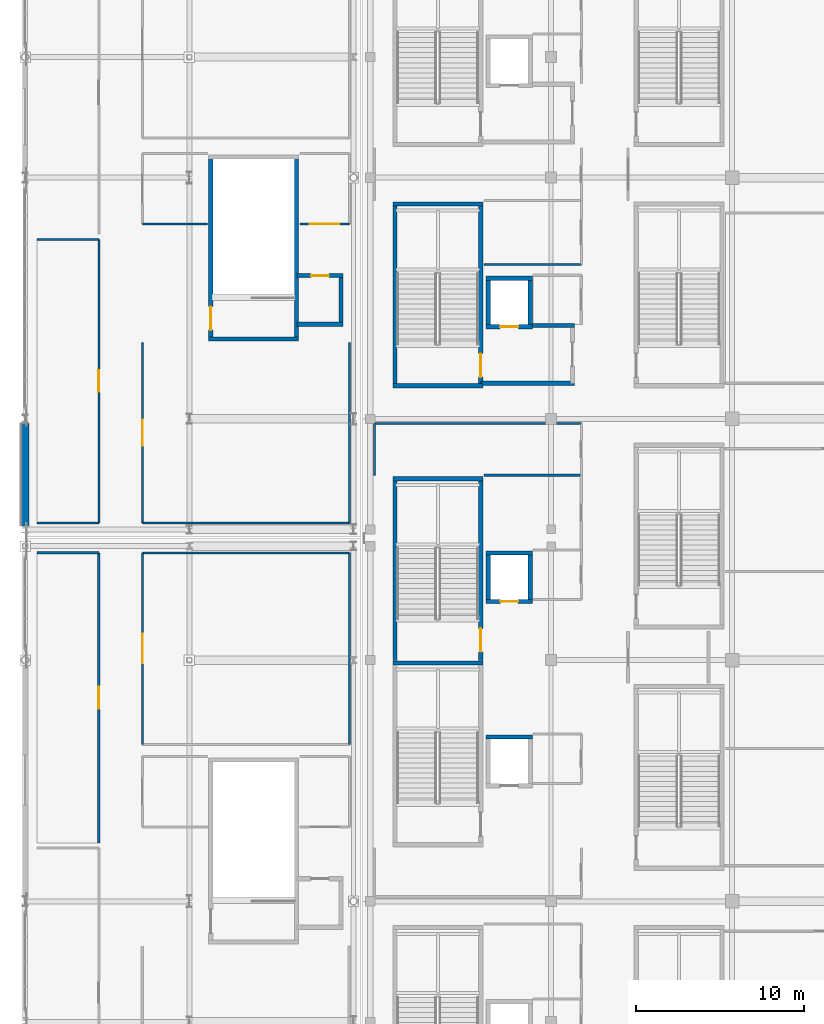
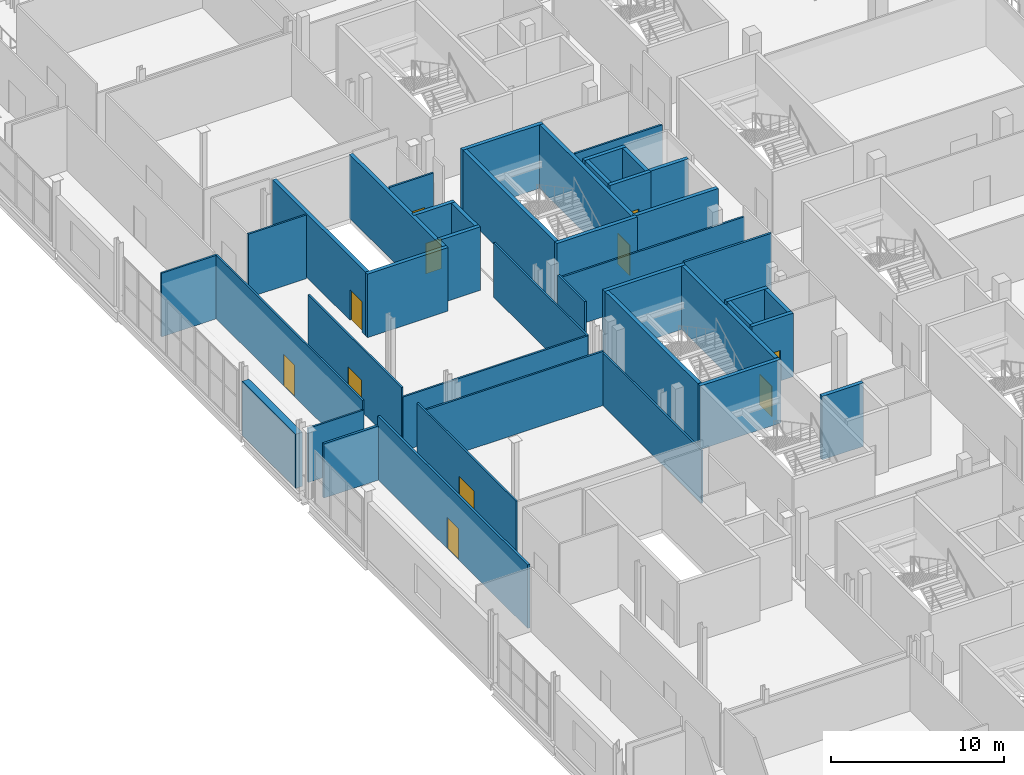
# One storey, part 92 of 142: 43 walls, 11 doors, 11 openings.
"""IFC4 building model written with IfcOpenShell, lengths in metres."""

import ifcopenshell
import ifcopenshell.guid

model = None  # the IFC model being written
_history = None  # IfcOwnerHistory: only IFC2X3 demands one
_inside = {}  # id of a spatial element -> (the spatial element, [elements in it])
_under = {}  # id of a project, library or spatial element -> (it, [spatial elements below it])
_declared = {}  # id of a project -> (the project, [libraries it declares])
_typed = {}  # id of a type object -> (the type object, [elements of that type])
_made_of = {}  # id of a material, layer set ... -> (it, [elements and type objects made of it])


def new_model(schema):
    """Start an empty IFC model of exactly this schema.

    Asked for "IFC4X3", IfcOpenShell would pick the latest addendum, in which some entities
    have other attributes; the version numbers below select the first issue.
    IFC2X3 requires an IfcOwnerHistory on every rooted entity: one is made here for all.
    """
    global model, _history
    if schema == "IFC4X3":
        model = ifcopenshell.file(schema_version=(4, 3, 0, 0))
    else:
        model = ifcopenshell.file(schema=schema)
    _inside.clear()
    _under.clear()
    _declared.clear()
    _typed.clear()
    _made_of.clear()
    _history = None
    if model.schema == "IFC2X3":
        org = make("IfcOrganization", Name="unknown")
        user = make(
            "IfcPersonAndOrganization",
            ThePerson=make("IfcPerson", FamilyName="unknown"),
            TheOrganization=org,
        )
        app = make(
            "IfcApplication",
            ApplicationDeveloper=org,
            Version="unknown",
            ApplicationFullName="unknown",
            ApplicationIdentifier="unknown",
        )
        _history = make(
            "IfcOwnerHistory",
            OwningUser=user,
            OwningApplication=app,
            ChangeAction="ADDED",
            CreationDate=0,
        )
    return model


def make(cls, **values):
    """One entity of the class cls with the attributes given. An attribute that is None is left unset."""
    return model.create_entity(
        cls, **{name: value for name, value in values.items() if value is not None}
    )


def rooted(cls, **values):
    """An entity with a GlobalId (a new one), such as an element, a storey or a relation."""
    return make(cls, GlobalId=ifcopenshell.guid.new(), OwnerHistory=_history, **values)


def si_unit(unit_type, name, prefix=None):
    """IfcSIUnit, for example si_unit("LENGTHUNIT", "METRE", prefix="MILLI")."""
    return make("IfcSIUnit", UnitType=unit_type, Prefix=prefix, Name=name)


def assignment(units):
    """IfcUnitAssignment: the units of a project."""
    return None if units is None else make("IfcUnitAssignment", Units=units)


def point(xyz):
    """IfcCartesianPoint."""
    return None if xyz is None else make("IfcCartesianPoint", Coordinates=xyz)


def direction(xyz):
    """IfcDirection."""
    return None if xyz is None else make("IfcDirection", DirectionRatios=xyz)


def frame(location, z_axis=None, x_axis=None):
    """IfcAxis2Placement3D, a coordinate frame: its origin and axes. An axis left out is left unset."""
    return make(
        "IfcAxis2Placement3D",
        Location=point(location),
        Axis=direction(z_axis),
        RefDirection=direction(x_axis),
    )


def frame_2d(location, x_axis=None):
    """IfcAxis2Placement2D, a coordinate frame in the plane: its origin and x axis."""
    return make(
        "IfcAxis2Placement2D", Location=point(location), RefDirection=direction(x_axis)
    )


def origin():
    """The frame at (0, 0, 0) with its axes left unset."""
    return frame((0.0, 0.0, 0.0))


def place(relative_to, where):
    """IfcLocalPlacement: puts the frame where relative to a parent placement (None: the world)."""
    return make(
        "IfcLocalPlacement", PlacementRelTo=relative_to, RelativePlacement=where
    )


def context(
    kind, dimensions, precision=None, world=None, true_north=None, identifier=None
):
    """IfcGeometricRepresentationContext, for example the 3D "Model" context."""
    return make(
        "IfcGeometricRepresentationContext",
        ContextIdentifier=identifier,
        ContextType=kind,
        CoordinateSpaceDimension=dimensions,
        Precision=precision,
        WorldCoordinateSystem=world,
        TrueNorth=true_north,
    )


def subcontext(parent, identifier, kind, view, scale=None):
    """IfcGeometricRepresentationSubContext, for example "Body" below "Model"."""
    return make(
        "IfcGeometricRepresentationSubContext",
        ContextIdentifier=identifier,
        ContextType=kind,
        ParentContext=parent,
        TargetScale=scale,
        TargetView=view,
    )


def project(units=None, contexts=None):
    """IfcProject with its units and contexts."""
    return rooted(
        "IfcProject",
        Name="project",
        RepresentationContexts=contexts,
        UnitsInContext=assignment(units),
    )


def spatial(cls, under=None, at=None, **own):
    """A site, building, storey or space (cls), placed at a placement, below another one or the project."""
    s = rooted(cls, ObjectPlacement=at, **own)
    if under is not None:
        _under.setdefault(under.id(), (under, []))[1].append(s)
    return s


def profile(cls, at=None, kind="AREA", **sizes):
    """A parametric profile (cls). Its sizes go by their IFC names, for example OverallWidth=200.0."""
    return make(cls, ProfileType=kind, Position=at, **sizes)


def rectangle(**sizes):
    """IfcRectangleProfileDef."""
    return profile("IfcRectangleProfileDef", **sizes)


def extrude(swept, where, along, depth):
    """IfcExtrudedAreaSolid: the profile swept, set in the frame where, extruded along a direction by depth."""
    return make(
        "IfcExtrudedAreaSolid",
        SweptArea=swept,
        Position=where,
        ExtrudedDirection=direction(along),
        Depth=depth,
    )


def shape(context_of_items, identifier, shape_type, items):
    """IfcShapeRepresentation: the items that make up one representation, for example the "Body"."""
    return make(
        "IfcShapeRepresentation",
        ContextOfItems=context_of_items,
        RepresentationIdentifier=identifier,
        RepresentationType=shape_type,
        Items=items,
    )


def material(Name=None, Category=None):
    """IfcMaterial."""
    return make("IfcMaterial", Name=Name, Category=Category)


def layer(
    of_material, thickness, ventilated=None, Name=None, Category=None, Priority=None
):
    """IfcMaterialLayer: one layer of a wall or slab, of a material (None: an air gap)."""
    return make(
        "IfcMaterialLayer",
        Material=of_material,
        LayerThickness=thickness,
        IsVentilated=ventilated,
        Name=Name,
        Category=Category,
        Priority=Priority,
    )


def layer_set(layers, Name=None):
    """IfcMaterialLayerSet."""
    return make("IfcMaterialLayerSet", MaterialLayers=layers, LayerSetName=Name)


def made_of(thing, what):
    """Note that an element or type object is made of a material, layer set ...; save() writes the relation."""
    if what is not None:
        _made_of.setdefault(what.id(), (what, []))[1].append(thing)
    return thing


def type_object(cls, material=None, **own):
    """A type object (cls), such as IfcWallType, which elements share."""
    return made_of(rooted(cls, **own), material)


def element(
    cls,
    number,
    at=None,
    inside=None,
    cuts=None,
    type_object=None,
    material=None,
    context=None,
    identifier="Body",
    shape_type=None,
    held_by="IfcProductDefinitionShape",
    body=None,
    shapes=None,
    **own,
):
    """One element of the class cls, such as IfcWall. Its Tag is "e" and its number.

    at: its placement. inside: the storey or other place that contains it. cuts: it is an
    opening in that element (IfcRelVoidsElement). A single representation is given by context,
    identifier, shape_type and body (its items); several are given by shapes. held_by: the class
    of the entity that holds the representations. save() writes the other relations.
    """
    e = rooted(cls, Tag="e%d" % number, ObjectPlacement=at, **own)
    if body is not None:
        shapes = [shape(context, identifier, shape_type, body)]
    if shapes is not None:
        e.Representation = make(held_by, Representations=shapes)
    if inside is not None:
        _inside.setdefault(inside.id(), (inside, []))[1].append(e)
    if cuts is not None:
        rooted(
            "IfcRelVoidsElement", RelatingBuildingElement=cuts, RelatedOpeningElement=e
        )
    if type_object is not None:
        _typed.setdefault(type_object.id(), (type_object, []))[1].append(e)
    return made_of(e, material)


def fill(opening, filler):
    """IfcRelFillsElement: the door or window that sits in an opening."""
    return rooted(
        "IfcRelFillsElement",
        RelatingOpeningElement=opening,
        RelatedBuildingElement=filler,
    )


def aggregate(whole, parts):
    """IfcRelAggregates: a whole, such as a stair, and the parts it consists of."""
    return rooted("IfcRelAggregates", RelatingObject=whole, RelatedObjects=parts)


def save(model, path):
    """Write the relations noted so far, then the file.

    IfcRelAggregates (storeys below a building ...), IfcRelContainedInSpatialStructure (elements
    in a storey), IfcRelDefinesByType, IfcRelAssociatesMaterial and IfcRelDeclares: one each for
    every whole, place, type object, material and project.
    """
    for whole, parts in _under.values():
        aggregate(whole, parts)
    for where, things in _inside.values():
        rooted(
            "IfcRelContainedInSpatialStructure",
            RelatedElements=things,
            RelatingStructure=where,
        )
    for kind, things in _typed.values():
        rooted("IfcRelDefinesByType", RelatedObjects=things, RelatingType=kind)
    for what, things in _made_of.values():
        rooted("IfcRelAssociatesMaterial", RelatedObjects=things, RelatingMaterial=what)
    for by, libraries in _declared.values():
        rooted("IfcRelDeclares", RelatingContext=by, RelatedDefinitions=libraries)
    model.write(path)


model = new_model("IFC4")

# Units and contexts
model_context = context("Model", 3, precision=1e-05, world=origin(), true_north=direction((0.0, 1.0)))
body_context = subcontext(model_context, "Body", "Model", "MODEL_VIEW")
ifc_project = project(units=[si_unit("LENGTHUNIT", "METRE"), si_unit("AREAUNIT", "SQUARE_METRE"), si_unit("VOLUMEUNIT", "CUBIC_METRE"), si_unit("PLANEANGLEUNIT", "RADIAN"), si_unit("MASSUNIT", "GRAM", prefix="KILO")], contexts=[model_context])

# Site, building, storey
site_placement = place(None, origin())
site = spatial("IfcSite", under=ifc_project, at=site_placement, CompositionType="ELEMENT")
building_placement = place(site_placement, origin())
building = spatial("IfcBuilding", under=site, at=building_placement, Name="Koshinbarg Plaza Stadium", CompositionType="ELEMENT")
storey_placement = place(building_placement, frame((0.0, 0.0, 10.199951171875)))
storey = spatial("IfcBuildingStorey", under=building, at=storey_placement, Name="L02", CompositionType="ELEMENT", Elevation=10.199951171875)

# Walls
ifc_material_1 = material(Name="Concrete C40/50", Category="concrete")
ifc_layer_1 = layer(ifc_material_1, 0.25)
ifc_layer_set_1 = layer_set([ifc_layer_1], Name="Concrete C40/50")
wall_type_1 = type_object("IfcWallType", Name="WL-CORE-250", PredefinedType="SHEAR", material=ifc_layer_set_1)
for number, where, z_axis, x_axis, name in (
    (1, (31.320068359375, 68.52490234375, 0.0), (0.0, 0.0, 1.0), (-1.0, 0.0, 0.0), "L02 core stair shear wall C03-far IWL-L02-0066"),
    (2, (31.320068359375, 79.52490234375, 0.0), (0.0, 0.0, 1.0), (-1.0, 0.0, 0.0), "L02 core stair shear wall C04-far IWL-L02-0091"),
):
    element("IfcWall", number, at=place(storey_placement, frame(where, z_axis=z_axis, x_axis=x_axis)), inside=storey, type_object=wall_type_1, Name=name, PredefinedType="SHEAR", context=body_context, shape_type="SweptSolid", body=[
        extrude(rectangle(XDim=5.3701171875, YDim=0.25, at=frame_2d((2.68505859375, 0.0))), origin(), (0.0, 0.0, 1.0), 4.47998046875),
    ])
wall_1_placement = place(storey_placement, frame((26.074951171875, 68.675048828125, 0.0), z_axis=(0.0, 0.0, 1.0), x_axis=(0.0, 1.0, 0.0)))
element("IfcWall", 3, at=wall_1_placement, inside=storey, type_object=wall_type_1, Name="L02 core stair shear wall C04-left IWL-L02-0092", PredefinedType="SHEAR", context=body_context, shape_type="SweptSolid", body=[
    extrude(rectangle(XDim=10.849853515625, YDim=0.25, at=frame_2d((5.4248046875, 0.0))), origin(), (0.0, 0.0, 1.0), 4.47998046875),
])

# Wall, opening, door
wall_2_placement = place(storey_placement, frame((31.195068359375, 68.675048828125, 0.0), z_axis=(0.0, 0.0, 1.0), x_axis=(0.0, 1.0, 0.0)))
wall_2 = element("IfcWall", 4, at=wall_2_placement, inside=storey, type_object=wall_type_1, Name="L02 core stair shear wall C04-right IWL-L02-0093", PredefinedType="SHEAR", context=body_context, shape_type="SweptSolid", body=[
    extrude(rectangle(XDim=10.849853515625, YDim=0.25, at=frame_2d((5.4248046875, 0.0))), origin(), (0.0, 0.0, 1.0), 4.47998046875),
])
opening_1_placement = place(wall_2_placement, frame((0.52001953125, 0.0, 0.0)))
opening_1 = element("IfcOpeningElement", 5, at=opening_1_placement, cuts=wall_2, Name="Opening D-0084", PredefinedType="OPENING", context=body_context, shape_type="SweptSolid", body=[
    extrude(rectangle(XDim=1.39990234375, YDim=2.14990234375, at=frame_2d((0.699951171875, 1.074951171875))), frame((0.0, 0.135009765625, 0.0), z_axis=(0.0, -1.0, 0.0), x_axis=(1.0, 0.0, 0.0)), (0.0, 0.0, 1.0), 0.27001953125),
])
ifc_material_2 = material(Name="Painted galvanized steel fire door", Category="steel")
door_type_1 = type_object("IfcDoorType", Name="DR-STAIR-1400", OperationType="NOTDEFINED", PredefinedType="DOOR", material=ifc_material_2)
door_1_placement = place(opening_1_placement, origin())
door_1 = element("IfcDoor", 6, at=door_1_placement, inside=storey, type_object=door_type_1, Name="L02 exit stair door C04", OperationType="SINGLE_SWING_LEFT", OverallHeight=2.14990234375, OverallWidth=1.39990234375, PredefinedType="DOOR", context=body_context, shape_type="SweptSolid", body=[
    extrude(rectangle(XDim=1.39990234375, YDim=2.14990234375, at=frame_2d((0.699951171875, 1.074951171875))), frame((0.0, 0.02490234375, 0.0), z_axis=(0.0, -1.0, 0.0), x_axis=(1.0, 0.0, 0.0)), (0.0, 0.0, 1.0), 0.050048828125),
])
fill(opening_1, door_1)

# Walls
for number, where, z_axis, x_axis, name in (
    (7, (25.949951171875, 85.074951171875, 0.0), (0.0, 0.0, 1.0), (1.0, 0.0, 0.0), "L02 core stair shear wall C05-near IWL-L02-0114"),
    (8, (31.320068359375, 95.925048828125, 0.0), (0.0, 0.0, 1.0), (-1.0, 0.0, 0.0), "L02 core stair shear wall C05-far IWL-L02-0115"),
):
    element("IfcWall", number, at=place(storey_placement, frame(where, z_axis=z_axis, x_axis=x_axis)), inside=storey, type_object=wall_type_1, Name=name, PredefinedType="SHEAR", context=body_context, shape_type="SweptSolid", body=[
        extrude(rectangle(XDim=5.3701171875, YDim=0.25, at=frame_2d((2.68505859375, 0.0))), origin(), (0.0, 0.0, 1.0), 4.47998046875),
    ])
wall_3_placement = place(storey_placement, frame((26.074951171875, 85.074951171875, 0.0), z_axis=(0.0, 0.0, 1.0), x_axis=(0.0, 1.0, 0.0)))
element("IfcWall", 9, at=wall_3_placement, inside=storey, type_object=wall_type_1, Name="L02 core stair shear wall C05-left IWL-L02-0116", PredefinedType="SHEAR", context=body_context, shape_type="SweptSolid", body=[
    extrude(rectangle(XDim=10.85009765625, YDim=0.25, at=frame_2d((5.425048828125, 0.0))), origin(), (0.0, 0.0, 1.0), 4.47998046875),
])

# Wall, opening, door
wall_4_placement = place(storey_placement, frame((31.195068359375, 85.074951171875, 0.0), z_axis=(0.0, 0.0, 1.0), x_axis=(0.0, 1.0, 0.0)))
wall_4 = element("IfcWall", 10, at=wall_4_placement, inside=storey, type_object=wall_type_1, Name="L02 core stair shear wall C05-right IWL-L02-0117", PredefinedType="SHEAR", context=body_context, shape_type="SweptSolid", body=[
    extrude(rectangle(XDim=10.85009765625, YDim=0.25, at=frame_2d((5.425048828125, 0.0))), origin(), (0.0, 0.0, 1.0), 4.47998046875),
])
opening_2_placement = place(wall_4_placement, frame((0.52001953125, 0.0, 0.0)))
opening_2 = element("IfcOpeningElement", 11, at=opening_2_placement, cuts=wall_4, Name="Opening D-0091", PredefinedType="OPENING", context=body_context, shape_type="SweptSolid", body=[
    extrude(rectangle(XDim=1.39990234375, YDim=2.14990234375, at=frame_2d((0.699951171875, 1.074951171875))), frame((0.0, 0.135009765625, 0.0), z_axis=(0.0, -1.0, 0.0), x_axis=(1.0, 0.0, 0.0)), (0.0, 0.0, 1.0), 0.27001953125),
])
door_2_placement = place(opening_2_placement, origin())
door_2 = element("IfcDoor", 12, at=door_2_placement, inside=storey, type_object=door_type_1, Name="L02 exit stair door C05", OperationType="SINGLE_SWING_LEFT", OverallHeight=2.14990234375, OverallWidth=1.39990234375, PredefinedType="DOOR", context=body_context, shape_type="SweptSolid", body=[
    extrude(rectangle(XDim=1.39990234375, YDim=2.14990234375, at=frame_2d((0.699951171875, 1.074951171875))), frame((0.0, 0.02490234375, 0.0), z_axis=(0.0, -1.0, 0.0), x_axis=(1.0, 0.0, 0.0)), (0.0, 0.0, 1.0), 0.050048828125),
])
fill(opening_2, door_2)

# Wall
wall_5_placement = place(storey_placement, frame((14.949951171875, 87.875, 0.0), z_axis=(0.0, 0.0, 1.0), x_axis=(1.0, 0.0, 0.0)))
element("IfcWall", 13, at=wall_5_placement, inside=storey, type_object=wall_type_1, Name="L02 core stair shear wall C15-near IWL-L02-0338", PredefinedType="SHEAR", context=body_context, shape_type="SweptSolid", body=[
    extrude(rectangle(XDim=5.3701171875, YDim=0.25, at=frame_2d((2.68505859375, 0.0))), origin(), (0.0, 0.0, 1.0), 4.47998046875),
])

# Wall, opening, door
wall_6_placement = place(storey_placement, frame((15.074951171875, 87.875, 0.0), z_axis=(0.0, 0.0, 1.0), x_axis=(0.0, 1.0, 0.0)))
wall_6 = element("IfcWall", 14, at=wall_6_placement, inside=storey, type_object=wall_type_1, Name="L02 core stair shear wall C15-left IWL-L02-0340", PredefinedType="SHEAR", context=body_context, shape_type="SweptSolid", body=[
    extrude(rectangle(XDim=10.85009765625, YDim=0.25, at=frame_2d((5.425048828125, 0.0))), origin(), (0.0, 0.0, 1.0), 4.47998046875),
])
opening_3_placement = place(wall_6_placement, frame((0.52001953125, 0.0, 0.0)))
opening_3 = element("IfcOpeningElement", 15, at=opening_3_placement, cuts=wall_6, Name="Opening D-0147", PredefinedType="OPENING", context=body_context, shape_type="SweptSolid", body=[
    extrude(rectangle(XDim=1.39990234375, YDim=2.14990234375, at=frame_2d((0.699951171875, 1.074951171875))), frame((0.0, 0.135009765625, 0.0), z_axis=(0.0, -1.0, 0.0), x_axis=(1.0, 0.0, 0.0)), (0.0, 0.0, 1.0), 0.27001953125),
])
door_3_placement = place(opening_3_placement, frame((1.39990234375, 0.0, 0.0), z_axis=(0.0, 0.0, 1.0), x_axis=(-1.0, 0.0, 0.0)))
door_3 = element("IfcDoor", 16, at=door_3_placement, inside=storey, type_object=door_type_1, Name="L02 exit stair door C15", OperationType="SINGLE_SWING_LEFT", OverallHeight=2.14990234375, OverallWidth=1.39990234375, PredefinedType="DOOR", context=body_context, shape_type="SweptSolid", body=[
    extrude(rectangle(XDim=1.39990234375, YDim=2.14990234375, at=frame_2d((0.699951171875, 1.074951171875))), frame((0.0, 0.02490234375, 0.0), z_axis=(0.0, -1.0, 0.0), x_axis=(1.0, 0.0, 0.0)), (0.0, 0.0, 1.0), 0.050048828125),
])
fill(opening_3, door_3)

# Walls
wall_7_placement = place(storey_placement, frame((20.195068359375, 87.875, 0.0), z_axis=(0.0, 0.0, 1.0), x_axis=(0.0, 1.0, 0.0)))
element("IfcWall", 17, at=wall_7_placement, inside=storey, type_object=wall_type_1, Name="L02 core stair shear wall C15-right IWL-L02-0341", PredefinedType="SHEAR", context=body_context, shape_type="SweptSolid", body=[
    extrude(rectangle(XDim=10.85009765625, YDim=0.25, at=frame_2d((5.425048828125, 0.0))), origin(), (0.0, 0.0, 1.0), 4.47998046875),
])
wall_8_placement = place(storey_placement, frame((34.27490234375, 64.10009765625, 0.0), z_axis=(0.0, 0.0, 1.0), x_axis=(-1.0, 0.0, 0.0)))
element("IfcWall", 18, at=wall_8_placement, inside=storey, type_object=wall_type_1, Name="L02 lift shaft shear wall LP01-N IWL-L02-0717", PredefinedType="SHEAR", context=body_context, shape_type="SweptSolid", body=[
    extrude(rectangle(XDim=2.75, YDim=0.25, at=frame_2d((1.375, 0.0))), origin(), (0.0, 0.0, 1.0), 4.47998046875),
])

# Wall, opening, door
wall_9_placement = place(storey_placement, frame((31.52490234375, 72.199951171875, 0.0), z_axis=(0.0, 0.0, 1.0), x_axis=(1.0, 0.0, 0.0)))
wall_9 = element("IfcWall", 19, at=wall_9_placement, inside=storey, type_object=wall_type_1, Name="L02 lift shaft shear wall LP02-S IWL-L02-0744", PredefinedType="SHEAR", context=body_context, shape_type="SweptSolid", body=[
    extrude(rectangle(XDim=2.75, YDim=0.25, at=frame_2d((1.375, 0.0))), origin(), (0.0, 0.0, 1.0), 4.47998046875),
])
opening_4_placement = place(wall_9_placement, frame((0.85009765625, 0.0, 0.0)))
opening_4 = element("IfcOpeningElement", 20, at=opening_4_placement, cuts=wall_9, Name="Opening D-0252", PredefinedType="OPENING", context=body_context, shape_type="SweptSolid", body=[
    extrude(rectangle(XDim=1.050048828125, YDim=2.14990234375, at=frame_2d((0.52490234375, 1.074951171875))), frame((0.0, 0.135009765625, 0.0), z_axis=(0.0, -1.0, 0.0), x_axis=(1.0, 0.0, 0.0)), (0.0, 0.0, 1.0), 0.27001953125),
])
ifc_material_3 = material(Name="Brushed stainless steel sliding lift landing door", Category="steel")
door_type_2 = type_object("IfcDoorType", Name="DR-LIFT-1050", OperationType="NOTDEFINED", PredefinedType="DOOR", material=ifc_material_3)
door_4_placement = place(opening_4_placement, origin())
door_4 = element("IfcDoor", 21, at=door_4_placement, inside=storey, type_object=door_type_2, Name="L02 lift landing door LP02", OperationType="SLIDING_TO_LEFT", OverallHeight=2.14990234375, OverallWidth=1.050048828125, PredefinedType="DOOR", context=body_context, shape_type="SweptSolid", body=[
    extrude(rectangle(XDim=1.050048828125, YDim=2.14990234375, at=frame_2d((0.52490234375, 1.074951171875))), frame((0.0, 0.02490234375, 0.0), z_axis=(0.0, -1.0, 0.0), x_axis=(1.0, 0.0, 0.0)), (0.0, 0.0, 1.0), 0.050048828125),
])
fill(opening_4, door_4)

# Walls
wall_10_placement = place(storey_placement, frame((34.27490234375, 75.10009765625, 0.0), z_axis=(0.0, 0.0, 1.0), x_axis=(-1.0, 0.0, 0.0)))
element("IfcWall", 22, at=wall_10_placement, inside=storey, type_object=wall_type_1, Name="L02 lift shaft shear wall LP02-N IWL-L02-0745", PredefinedType="SHEAR", context=body_context, shape_type="SweptSolid", body=[
    extrude(rectangle(XDim=2.75, YDim=0.25, at=frame_2d((1.375, 0.0))), origin(), (0.0, 0.0, 1.0), 4.47998046875),
])
for number, where, z_axis, x_axis, name in (
    (23, (31.64990234375, 75.10009765625, 0.0), (0.0, 0.0, 1.0), (0.0, -1.0, 0.0), "L02 lift shaft shear wall LP02-W IWL-L02-0746"),
    (24, (34.14990234375, 72.199951171875, 0.0), (0.0, 0.0, 1.0), (0.0, 1.0, 0.0), "L02 lift shaft shear wall LP02-E IWL-L02-0747"),
):
    element("IfcWall", number, at=place(storey_placement, frame(where, z_axis=z_axis, x_axis=x_axis)), inside=storey, type_object=wall_type_1, Name=name, PredefinedType="SHEAR", context=body_context, shape_type="SweptSolid", body=[
        extrude(rectangle(XDim=2.900146484375, YDim=0.25, at=frame_2d((1.4501953125, 0.0))), origin(), (0.0, 0.0, 1.0), 4.47998046875),
    ])

# Wall, opening, door
wall_11_placement = place(storey_placement, frame((31.52490234375, 88.60009765625, 0.0), z_axis=(0.0, 0.0, 1.0), x_axis=(1.0, 0.0, 0.0)))
wall_11 = element("IfcWall", 25, at=wall_11_placement, inside=storey, type_object=wall_type_1, Name="L02 lift shaft shear wall FL03-S IWL-L02-0778", PredefinedType="SHEAR", context=body_context, shape_type="SweptSolid", body=[
    extrude(rectangle(XDim=2.75, YDim=0.25, at=frame_2d((1.375, 0.0))), origin(), (0.0, 0.0, 1.0), 4.47998046875),
])
opening_5_placement = place(wall_11_placement, frame((0.824951171875, 0.0, 0.0)))
opening_5 = element("IfcOpeningElement", 26, at=opening_5_placement, cuts=wall_11, Name="Opening D-0261", PredefinedType="OPENING", context=body_context, shape_type="SweptSolid", body=[
    extrude(rectangle(XDim=1.10009765625, YDim=2.14990234375, at=frame_2d((0.550048828125, 1.074951171875))), frame((0.0, 0.135009765625, 0.0), z_axis=(0.0, -1.0, 0.0), x_axis=(1.0, 0.0, 0.0)), (0.0, 0.0, 1.0), 0.27001953125),
])
door_type_3 = type_object("IfcDoorType", Name="DR-LIFT-1100", OperationType="NOTDEFINED", PredefinedType="DOOR", material=ifc_material_3)
door_5_placement = place(opening_5_placement, origin())
door_5 = element("IfcDoor", 27, at=door_5_placement, inside=storey, type_object=door_type_3, Name="L02 lift landing door FL03", OperationType="SLIDING_TO_RIGHT", OverallHeight=2.14990234375, OverallWidth=1.10009765625, PredefinedType="DOOR", context=body_context, shape_type="SweptSolid", body=[
    extrude(rectangle(XDim=1.10009765625, YDim=2.14990234375, at=frame_2d((0.550048828125, 1.074951171875))), frame((0.0, 0.02490234375, 0.0), z_axis=(0.0, -1.0, 0.0), x_axis=(1.0, 0.0, 0.0)), (0.0, 0.0, 1.0), 0.050048828125),
])
fill(opening_5, door_5)

# Walls
wall_12_placement = place(storey_placement, frame((34.27490234375, 91.5, 0.0), z_axis=(0.0, 0.0, 1.0), x_axis=(-1.0, 0.0, 0.0)))
element("IfcWall", 28, at=wall_12_placement, inside=storey, type_object=wall_type_1, Name="L02 lift shaft shear wall FL03-N IWL-L02-0779", PredefinedType="SHEAR", context=body_context, shape_type="SweptSolid", body=[
    extrude(rectangle(XDim=2.75, YDim=0.25, at=frame_2d((1.375, 0.0))), origin(), (0.0, 0.0, 1.0), 4.47998046875),
])
for number, where, z_axis, x_axis, name in (
    (29, (31.64990234375, 91.5, 0.0), (0.0, 0.0, 1.0), (0.0, -1.0, 0.0), "L02 lift shaft shear wall FL03-W IWL-L02-0780"),
    (30, (34.14990234375, 88.60009765625, 0.0), (0.0, 0.0, 1.0), (0.0, 1.0, 0.0), "L02 lift shaft shear wall FL03-E IWL-L02-0781"),
):
    element("IfcWall", number, at=place(storey_placement, frame(where, z_axis=z_axis, x_axis=x_axis)), inside=storey, type_object=wall_type_1, Name=name, PredefinedType="SHEAR", context=body_context, shape_type="SweptSolid", body=[
        extrude(rectangle(XDim=2.89990234375, YDim=0.25, at=frame_2d((1.449951171875, 0.0))), origin(), (0.0, 0.0, 1.0), 4.47998046875),
    ])
wall_13_placement = place(storey_placement, frame((34.27490234375, 88.675048828125, 0.0), z_axis=(0.0, 0.0, 1.0), x_axis=(1.0, 0.0, 0.0)))
element("IfcWall", 31, at=wall_13_placement, inside=storey, type_object=wall_type_1, Name="L02 firefighting lobby wall C05-NE IWL-L02-0783", PredefinedType="SHEAR", context=body_context, shape_type="SweptSolid", body=[
    extrude(rectangle(XDim=2.525146484375, YDim=0.25, at=frame_2d((1.2626953125, 0.0))), origin(), (0.0, 0.0, 1.0), 4.47998046875),
])
wall_14_placement = place(storey_placement, frame((31.199951171875, 85.22509765625, 0.0), z_axis=(0.0, 0.0, 1.0), x_axis=(1.0, 0.0, 0.0)))
element("IfcWall", 32, at=wall_14_placement, inside=storey, type_object=wall_type_1, Name="L02 firefighting lobby wall C05-S IWL-L02-0784", PredefinedType="SHEAR", context=body_context, shape_type="SweptSolid", body=[
    extrude(rectangle(XDim=5.60009765625, YDim=0.25, at=frame_2d((2.800048828125, 0.0))), origin(), (0.0, 0.0, 1.0), 4.47998046875),
])
wall_15_placement = place(storey_placement, frame((20.22509765625, 88.75, 0.0), z_axis=(0.0, 0.0, 1.0), x_axis=(1.0, 0.0, 0.0)))
element("IfcWall", 33, at=wall_15_placement, inside=storey, type_object=wall_type_1, Name="L02 lift shaft shear wall LP11-S IWL-L02-1036", PredefinedType="SHEAR", context=body_context, shape_type="SweptSolid", body=[
    extrude(rectangle(XDim=2.75, YDim=0.25, at=frame_2d((1.375, 0.0))), origin(), (0.0, 0.0, 1.0), 4.47998046875),
])

# Wall, opening, door
wall_16_placement = place(storey_placement, frame((22.97509765625, 91.64990234375, 0.0), z_axis=(0.0, 0.0, 1.0), x_axis=(-1.0, 0.0, 0.0)))
wall_16 = element("IfcWall", 34, at=wall_16_placement, inside=storey, type_object=wall_type_1, Name="L02 lift shaft shear wall LP11-N IWL-L02-1037", PredefinedType="SHEAR", context=body_context, shape_type="SweptSolid", body=[
    extrude(rectangle(XDim=2.75, YDim=0.25, at=frame_2d((1.375, 0.0))), origin(), (0.0, 0.0, 1.0), 4.47998046875),
])
opening_6_placement = place(wall_16_placement, frame((0.85009765625, 0.0, 0.0)))
opening_6 = element("IfcOpeningElement", 35, at=opening_6_placement, cuts=wall_16, Name="Opening D-0329", PredefinedType="OPENING", context=body_context, shape_type="SweptSolid", body=[
    extrude(rectangle(XDim=1.050048828125, YDim=2.14990234375, at=frame_2d((0.52490234375, 1.074951171875))), frame((0.0, 0.135009765625, 0.0), z_axis=(0.0, -1.0, 0.0), x_axis=(1.0, 0.0, 0.0)), (0.0, 0.0, 1.0), 0.27001953125),
])
door_6_placement = place(opening_6_placement, origin())
door_6 = element("IfcDoor", 36, at=door_6_placement, inside=storey, type_object=door_type_2, Name="L02 lift landing door LP11", OperationType="SLIDING_TO_RIGHT", OverallHeight=2.14990234375, OverallWidth=1.050048828125, PredefinedType="DOOR", context=body_context, shape_type="SweptSolid", body=[
    extrude(rectangle(XDim=1.050048828125, YDim=2.14990234375, at=frame_2d((0.52490234375, 1.074951171875))), frame((0.0, 0.02490234375, 0.0), z_axis=(0.0, -1.0, 0.0), x_axis=(1.0, 0.0, 0.0)), (0.0, 0.0, 1.0), 0.050048828125),
])
fill(opening_6, door_6)

# Walls
wall_17_placement = place(storey_placement, frame((22.85009765625, 88.75, 0.0), z_axis=(0.0, 0.0, 1.0), x_axis=(0.0, 1.0, 0.0)))
element("IfcWall", 37, at=wall_17_placement, inside=storey, type_object=wall_type_1, Name="L02 lift shaft shear wall LP11-E IWL-L02-1038", PredefinedType="SHEAR", context=body_context, shape_type="SweptSolid", body=[
    extrude(rectangle(XDim=2.89990234375, YDim=0.25, at=frame_2d((1.449951171875, 0.0))), origin(), (0.0, 0.0, 1.0), 4.47998046875),
])
ifc_material_4 = material(Name="Gypsum board metal-stud acoustic partition")
ifc_layer_2 = layer(ifc_material_4, 0.1201171875)
ifc_layer_set_2 = layer_set([ifc_layer_2], Name="Gypsum board metal-stud acoustic partition")
wall_type_2 = type_object("IfcWallType", Name="WL-PART-120", PredefinedType="PARTITIONING", material=ifc_layer_set_2)
wall_18_placement = place(storey_placement, frame((37.199951171875, 82.830078125, 0.0), z_axis=(0.0, 0.0, 1.0), x_axis=(-1.0, 0.0, 0.0)))
element("IfcWall", 38, at=wall_18_placement, inside=storey, type_object=wall_type_2, Name="L02 interior partition L02-68-north IWL-L02-1647", PredefinedType="PARTITIONING", context=body_context, shape_type="SweptSolid", body=[
    extrude(rectangle(XDim=12.35498046875, YDim=0.1201171875, at=frame_2d((6.177490234375, 0.0))), origin(), (0.0, 0.0, 1.0), 3.760009765625),
])
wall_19_placement = place(storey_placement, frame((24.844970703125, 82.830078125, 0.0), z_axis=(0.0, 0.0, 1.0), x_axis=(0.0, -1.0, 0.0)))
element("IfcWall", 39, at=wall_19_placement, inside=storey, type_object=wall_type_2, Name="L02 interior partition L02-68-west IWL-L02-1648", PredefinedType="PARTITIONING", context=body_context, shape_type="SweptSolid", body=[
    extrude(rectangle(XDim=3.10009765625, YDim=0.1201171875, at=frame_2d((1.550048828125, 0.0))), origin(), (0.0, 0.0, 1.0), 3.9599609375),
])
wall_20_placement = place(storey_placement, frame((31.39990234375, 92.323486328125, 0.0), z_axis=(0.0, 0.0, 1.0), x_axis=(1.0, 0.0, 0.0)))
element("IfcWall", 40, at=wall_20_placement, inside=storey, type_object=wall_type_2, Name="L02 interior partition L02-75-south IWL-L02-1664", PredefinedType="PARTITIONING", context=body_context, shape_type="SweptSolid", body=[
    extrude(rectangle(XDim=5.800048828125, YDim=0.1201171875, at=frame_2d((2.89990234375, 0.0))), origin(), (0.0, 0.0, 1.0), 4.47998046875),
])
wall_21_placement = place(storey_placement, frame((4.699951171875, 76.89501953125, 0.0), z_axis=(0.0, 0.0, 1.0), x_axis=(1.0, 0.0, 0.0)))
element("IfcWall", 41, at=wall_21_placement, inside=storey, type_object=wall_type_2, Name="L02 interior partition L02-142-south IWL-L02-1849", PredefinedType="PARTITIONING", context=body_context, shape_type="SweptSolid", body=[
    extrude(rectangle(XDim=3.699951171875, YDim=0.1201171875, at=frame_2d((1.85009765625, 0.0))), origin(), (0.0, 0.0, 1.0), 3.820068359375),
])

# Wall, opening, door
wall_22_placement = place(storey_placement, frame((8.39990234375, 76.89501953125, 0.0), z_axis=(0.0, 0.0, 1.0), x_axis=(0.0, 1.0, 0.0)))
wall_22 = element("IfcWall", 42, at=wall_22_placement, inside=storey, type_object=wall_type_2, Name="L02 interior partition L02-142-east IWL-L02-1850", PredefinedType="PARTITIONING", context=body_context, shape_type="SweptSolid", body=[
    extrude(rectangle(XDim=16.927490234375, YDim=0.1201171875, at=frame_2d((8.4638671875, 0.0))), origin(), (0.0, 0.0, 1.0), 4.47998046875),
])
opening_7_placement = place(wall_22_placement, frame((7.813720703125, 0.0, 0.0)))
opening_7 = element("IfcOpeningElement", 43, at=opening_7_placement, cuts=wall_22, Name="Opening D-0629", PredefinedType="OPENING", context=body_context, shape_type="SweptSolid", body=[
    extrude(rectangle(XDim=1.300048828125, YDim=2.199951171875, at=frame_2d((0.64990234375, 1.10009765625))), frame((0.0, 0.070068359375, 0.0), z_axis=(0.0, -1.0, 0.0), x_axis=(1.0, 0.0, 0.0)), (0.0, 0.0, 1.0), 0.14013671875),
])
ifc_material_5 = material(Name="Thermally broken anodised aluminium glazed door", Category="aluminium")
door_type_4 = type_object("IfcDoorType", Name="DR-INT-1300x2200", OperationType="NOTDEFINED", PredefinedType="DOOR", material=ifc_material_5)
door_7_placement = place(opening_7_placement, origin())
door_7 = element("IfcDoor", 44, at=door_7_placement, inside=storey, type_object=door_type_4, Name="L02 Northwest Terrace Lounge door D-0629", OperationType="SINGLE_SWING_LEFT", OverallHeight=2.199951171875, OverallWidth=1.300048828125, PredefinedType="DOOR", context=body_context, shape_type="SweptSolid", body=[
    extrude(rectangle(XDim=1.300048828125, YDim=2.199951171875, at=frame_2d((0.64990234375, 1.10009765625))), frame((0.0, 0.02490234375, 0.0), z_axis=(0.0, -1.0, 0.0), x_axis=(1.0, 0.0, 0.0)), (0.0, 0.0, 1.0), 0.050048828125),
])
fill(opening_7, door_7)

# Walls
wall_23_placement = place(storey_placement, frame((8.39990234375, 93.822509765625, 0.0), z_axis=(0.0, 0.0, 1.0), x_axis=(-1.0, 0.0, 0.0)))
element("IfcWall", 45, at=wall_23_placement, inside=storey, type_object=wall_type_2, Name="L02 interior partition L02-142-north IWL-L02-1851", PredefinedType="PARTITIONING", context=body_context, shape_type="SweptSolid", body=[
    extrude(rectangle(XDim=3.699951171875, YDim=0.1201171875, at=frame_2d((1.85009765625, 0.0))), origin(), (0.0, 0.0, 1.0), 4.47998046875),
])
wall_24_placement = place(storey_placement, frame((11.0, 76.89501953125, 0.0), z_axis=(0.0, 0.0, 1.0), x_axis=(1.0, 0.0, 0.0)))
element("IfcWall", 46, at=wall_24_placement, inside=storey, type_object=wall_type_2, Name="L02 interior partition L02-144-south IWL-L02-1854", PredefinedType="PARTITIONING", context=body_context, shape_type="SweptSolid", body=[
    extrude(rectangle(XDim=12.35498046875, YDim=0.1201171875, at=frame_2d((6.177490234375, 0.0))), origin(), (0.0, 0.0, 1.0), 3.820068359375),
])
wall_25_placement = place(storey_placement, frame((23.35498046875, 76.89501953125, 0.0), z_axis=(0.0, 0.0, 1.0), x_axis=(0.0, 1.0, 0.0)))
element("IfcWall", 47, at=wall_25_placement, inside=storey, type_object=wall_type_2, Name="L02 interior partition L02-144-east IWL-L02-1855", PredefinedType="PARTITIONING", context=body_context, shape_type="SweptSolid", body=[
    extrude(rectangle(XDim=10.77490234375, YDim=0.1201171875, at=frame_2d((5.387451171875, 0.0))), origin(), (0.0, 0.0, 1.0), 3.820068359375),
])

# Wall, opening, door
wall_26_placement = place(storey_placement, frame((11.0, 87.669921875, 0.0), z_axis=(0.0, 0.0, 1.0), x_axis=(0.0, -1.0, 0.0)))
wall_26 = element("IfcWall", 48, at=wall_26_placement, inside=storey, type_object=wall_type_2, Name="L02 interior partition L02-144-west IWL-L02-1856", PredefinedType="PARTITIONING", context=body_context, shape_type="SweptSolid", body=[
    extrude(rectangle(XDim=10.77490234375, YDim=0.1201171875, at=frame_2d((5.387451171875, 0.0))), origin(), (0.0, 0.0, 1.0), 4.47998046875),
])
opening_8_placement = place(wall_26_placement, frame((4.612548828125, 0.0, 0.0)))
opening_8 = element("IfcOpeningElement", 49, at=opening_8_placement, cuts=wall_26, Name="Opening D-0631", PredefinedType="OPENING", context=body_context, shape_type="SweptSolid", body=[
    extrude(rectangle(XDim=1.550048828125, YDim=2.199951171875, at=frame_2d((0.77490234375, 1.10009765625))), frame((0.0, 0.070068359375, 0.0), z_axis=(0.0, -1.0, 0.0), x_axis=(1.0, 0.0, 0.0)), (0.0, 0.0, 1.0), 0.14013671875),
])
ifc_material_6 = material(Name="Toughened laminated glass in aluminium frame", Category="aluminium")
door_type_5 = type_object("IfcDoorType", Name="DR-INT-1550x2200", OperationType="NOTDEFINED", PredefinedType="DOOR", material=ifc_material_6)
door_8_placement = place(opening_8_placement, origin())
door_8 = element("IfcDoor", 50, at=door_8_placement, inside=storey, type_object=door_type_5, Name="L02 Community Club Salon door D-0631", OperationType="DOUBLE_DOOR_SINGLE_SWING", OverallHeight=2.199951171875, OverallWidth=1.550048828125, PredefinedType="DOOR", context=body_context, shape_type="SweptSolid", body=[
    extrude(rectangle(XDim=1.550048828125, YDim=2.199951171875, at=frame_2d((0.77490234375, 1.10009765625))), frame((0.0, 0.02490234375, 0.0), z_axis=(0.0, -1.0, 0.0), x_axis=(1.0, 0.0, 0.0)), (0.0, 0.0, 1.0), 0.050048828125),
])
fill(opening_8, door_8)

# Wall
wall_27_placement = place(storey_placement, frame((11.0, 94.72998046875, 0.0), z_axis=(0.0, 0.0, 1.0), x_axis=(1.0, 0.0, 0.0)))
element("IfcWall", 51, at=wall_27_placement, inside=storey, type_object=wall_type_2, Name="L02 interior partition L02-145-south IWL-L02-1857", PredefinedType="PARTITIONING", context=body_context, shape_type="SweptSolid", body=[
    extrude(rectangle(XDim=3.8701171875, YDim=0.1201171875, at=frame_2d((1.93505859375, 0.0))), origin(), (0.0, 0.0, 1.0), 4.47998046875),
])

# Wall, opening, door
wall_28_placement = place(storey_placement, frame((20.39990234375, 94.72998046875, 0.0), z_axis=(0.0, 0.0, 1.0), x_axis=(1.0, 0.0, 0.0)))
wall_28 = element("IfcWall", 52, at=wall_28_placement, inside=storey, type_object=wall_type_2, Name="L02 interior partition L02-146-south IWL-L02-1860", PredefinedType="PARTITIONING", context=body_context, shape_type="SweptSolid", body=[
    extrude(rectangle(XDim=2.955078125, YDim=0.1201171875, at=frame_2d((1.4775390625, 0.0))), origin(), (0.0, 0.0, 1.0), 4.47998046875),
])
opening_9_placement = place(wall_28_placement, frame((0.597412109375, 0.0, 0.0)))
opening_9 = element("IfcOpeningElement", 53, at=opening_9_placement, cuts=wall_28, Name="Opening D-0633", PredefinedType="OPENING", context=body_context, shape_type="SweptSolid", body=[
    extrude(rectangle(XDim=1.760009765625, YDim=2.25, at=frame_2d((0.8798828125, 1.125))), frame((0.0, 0.070068359375, 0.0), z_axis=(0.0, -1.0, 0.0), x_axis=(1.0, 0.0, 0.0)), (0.0, 0.0, 1.0), 0.14013671875),
])
ifc_material_7 = material(Name="Solid-core oak veneer double swing door")
door_type_6 = type_object("IfcDoorType", Name="DR-INT-1760x2250", OperationType="NOTDEFINED", PredefinedType="DOOR", material=ifc_material_7)
door_9_placement = place(opening_9_placement, origin())
door_9 = element("IfcDoor", 54, at=door_9_placement, inside=storey, type_object=door_type_6, Name="L02 Northwest Terrace Lounge door D-0633", OperationType="DOUBLE_DOOR_SINGLE_SWING", OverallHeight=2.25, OverallWidth=1.760009765625, PredefinedType="DOOR", context=body_context, shape_type="SweptSolid", body=[
    extrude(rectangle(XDim=1.760009765625, YDim=2.25, at=frame_2d((0.8798828125, 1.125))), frame((0.0, 0.02490234375, 0.0), z_axis=(0.0, -1.0, 0.0), x_axis=(1.0, 0.0, 0.0)), (0.0, 0.0, 1.0), 0.050048828125),
])
fill(opening_9, door_9)

# Walls
wall_29_placement = place(storey_placement, frame((23.35498046875, 63.659912109375, 0.0), z_axis=(0.0, 0.0, 1.0), x_axis=(0.0, 1.0, 0.0)))
element("IfcWall", 55, at=wall_29_placement, inside=storey, type_object=wall_type_2, Name="L02 interior partition L02-163-east IWL-L02-1916", PredefinedType="PARTITIONING", context=body_context, shape_type="SweptSolid", body=[
    extrude(rectangle(XDim=11.445068359375, YDim=0.1201171875, at=frame_2d((5.72265625, 0.0))), origin(), (0.0, 0.0, 1.0), 3.719970703125),
])
wall_30_placement = place(storey_placement, frame((23.35498046875, 75.10498046875, 0.0), z_axis=(0.0, 0.0, 1.0), x_axis=(-1.0, 0.0, 0.0)))
element("IfcWall", 56, at=wall_30_placement, inside=storey, type_object=wall_type_2, Name="L02 interior partition L02-163-north IWL-L02-1917", PredefinedType="PARTITIONING", context=body_context, shape_type="SweptSolid", body=[
    extrude(rectangle(XDim=12.35498046875, YDim=0.1201171875, at=frame_2d((6.177490234375, 0.0))), origin(), (0.0, 0.0, 1.0), 3.820068359375),
])

# Wall, opening, door
wall_31_placement = place(storey_placement, frame((11.0, 75.10498046875, 0.0), z_axis=(0.0, 0.0, 1.0), x_axis=(0.0, -1.0, 0.0)))
wall_31 = element("IfcWall", 57, at=wall_31_placement, inside=storey, type_object=wall_type_2, Name="L02 interior partition L02-163-west IWL-L02-1918", PredefinedType="PARTITIONING", context=body_context, shape_type="SweptSolid", body=[
    extrude(rectangle(XDim=11.445068359375, YDim=0.1201171875, at=frame_2d((5.72265625, 0.0))), origin(), (0.0, 0.0, 1.0), 4.47998046875),
])
opening_10_placement = place(wall_31_placement, frame((4.842529296875, 0.0, 0.0)))
opening_10 = element("IfcOpeningElement", 58, at=opening_10_placement, cuts=wall_31, Name="Opening D-0650", PredefinedType="OPENING", context=body_context, shape_type="SweptSolid", body=[
    extrude(rectangle(XDim=1.760009765625, YDim=2.25, at=frame_2d((0.8798828125, 1.125))), frame((0.0, 0.070068359375, 0.0), z_axis=(0.0, -1.0, 0.0), x_axis=(1.0, 0.0, 0.0)), (0.0, 0.0, 1.0), 0.14013671875),
])
door_10_placement = place(opening_10_placement, origin())
door_10 = element("IfcDoor", 59, at=door_10_placement, inside=storey, type_object=door_type_6, Name="L02 Southwest Club Dining Hall door D-0650", OperationType="DOUBLE_DOOR_SINGLE_SWING", OverallHeight=2.25, OverallWidth=1.760009765625, PredefinedType="DOOR", context=body_context, shape_type="SweptSolid", body=[
    extrude(rectangle(XDim=1.760009765625, YDim=2.25, at=frame_2d((0.8798828125, 1.125))), frame((0.0, 0.02490234375, 0.0), z_axis=(0.0, -1.0, 0.0), x_axis=(1.0, 0.0, 0.0)), (0.0, 0.0, 1.0), 0.050048828125),
])
fill(opening_10, door_10)

# Wall
ifc_material_8 = material(Name="Double-layer gypsum acoustic suite partition")
ifc_layer_3 = layer(ifc_material_8, 0.14990234375)
ifc_layer_set_3 = layer_set([ifc_layer_3], Name="Double-layer gypsum acoustic suite partition")
wall_type_3 = type_object("IfcWallType", Name="WL-PART-150", PredefinedType="PARTITIONING", material=ifc_layer_set_3)
wall_32_placement = place(storey_placement, frame((37.199951171875, 79.72998046875, 0.0), z_axis=(0.0, 0.0, 1.0), x_axis=(-1.0, 0.0, 0.0)))
element("IfcWall", 60, at=wall_32_placement, inside=storey, type_object=wall_type_3, Name="L02 interior partition L02-69-north IWL-L02-1650", PredefinedType="PARTITIONING", context=body_context, shape_type="SweptSolid", body=[
    extrude(rectangle(XDim=5.800048828125, YDim=0.14990234375, at=frame_2d((2.89990234375, 0.0))), origin(), (0.0, 0.0, 1.0), 4.47998046875),
])

# Wall, opening, door
wall_33_placement = place(storey_placement, frame((8.39990234375, 57.78759765625, 0.0), z_axis=(0.0, 0.0, 1.0), x_axis=(0.0, 1.0, 0.0)))
wall_33 = element("IfcWall", 61, at=wall_33_placement, inside=storey, type_object=wall_type_3, Name="L02 interior partition L02-159-east IWL-L02-1904", PredefinedType="PARTITIONING", context=body_context, shape_type="SweptSolid", body=[
    extrude(rectangle(XDim=17.3173828125, YDim=0.14990234375, at=frame_2d((8.65869140625, 0.0))), origin(), (0.0, 0.0, 1.0), 4.47998046875),
])
opening_11_placement = place(wall_33_placement, frame((8.0087890625, 0.0, 0.0)))
opening_11 = element("IfcOpeningElement", 62, at=opening_11_placement, cuts=wall_33, Name="Opening D-0646", PredefinedType="OPENING", context=body_context, shape_type="SweptSolid", body=[
    extrude(rectangle(XDim=1.300048828125, YDim=2.199951171875, at=frame_2d((0.64990234375, 1.10009765625))), frame((0.0, 0.0849609375, 0.0), z_axis=(0.0, -1.0, 0.0), x_axis=(1.0, 0.0, 0.0)), (0.0, 0.0, 1.0), 0.169921875),
])
door_11_placement = place(opening_11_placement, origin())
door_11 = element("IfcDoor", 63, at=door_11_placement, inside=storey, type_object=door_type_4, Name="L02 Southwest Hospitality Suite door D-0646", OperationType="SINGLE_SWING_RIGHT", OverallHeight=2.199951171875, OverallWidth=1.300048828125, PredefinedType="DOOR", context=body_context, shape_type="SweptSolid", body=[
    extrude(rectangle(XDim=1.300048828125, YDim=2.199951171875, at=frame_2d((0.64990234375, 1.10009765625))), frame((0.0, 0.02490234375, 0.0), z_axis=(0.0, -1.0, 0.0), x_axis=(1.0, 0.0, 0.0)), (0.0, 0.0, 1.0), 0.050048828125),
])
fill(opening_11, door_11)

# Walls
wall_34_placement = place(storey_placement, frame((8.39990234375, 75.10498046875, 0.0), z_axis=(0.0, 0.0, 1.0), x_axis=(-1.0, 0.0, 0.0)))
element("IfcWall", 64, at=wall_34_placement, inside=storey, type_object=wall_type_3, Name="L02 interior partition L02-159-north IWL-L02-1905", PredefinedType="PARTITIONING", context=body_context, shape_type="SweptSolid", body=[
    extrude(rectangle(XDim=3.699951171875, YDim=0.14990234375, at=frame_2d((1.85009765625, 0.0))), origin(), (0.0, 0.0, 1.0), 3.820068359375),
])
ifc_layer_4 = layer(ifc_material_1, 0.449951171875)
ifc_layer_set_4 = layer_set([ifc_layer_4], Name="Concrete C40/50")
wall_type_4 = type_object("IfcWallType", Name="WL-PYLON-450", PredefinedType="SHEAR", material=ifc_layer_set_4)
wall_35_placement = place(storey_placement, frame((4.0, 76.68505859375, 0.0), z_axis=(0.0, 0.0, 1.0), x_axis=(0.0, 1.0, 0.0)))
element("IfcWall", 65, at=wall_35_placement, inside=storey, type_object=wall_type_4, Name="L02 exterior shear pylon wall EWL-L02-0112", PredefinedType="SHEAR", context=body_context, shape_type="SweptSolid", body=[
    extrude(rectangle(XDim=6.169921875, YDim=0.449951171875, at=frame_2d((3.0849609375, 0.0))), origin(), (0.0, 0.0, 1.0), 3.820068359375),
])

save(model, "model.ifc")
